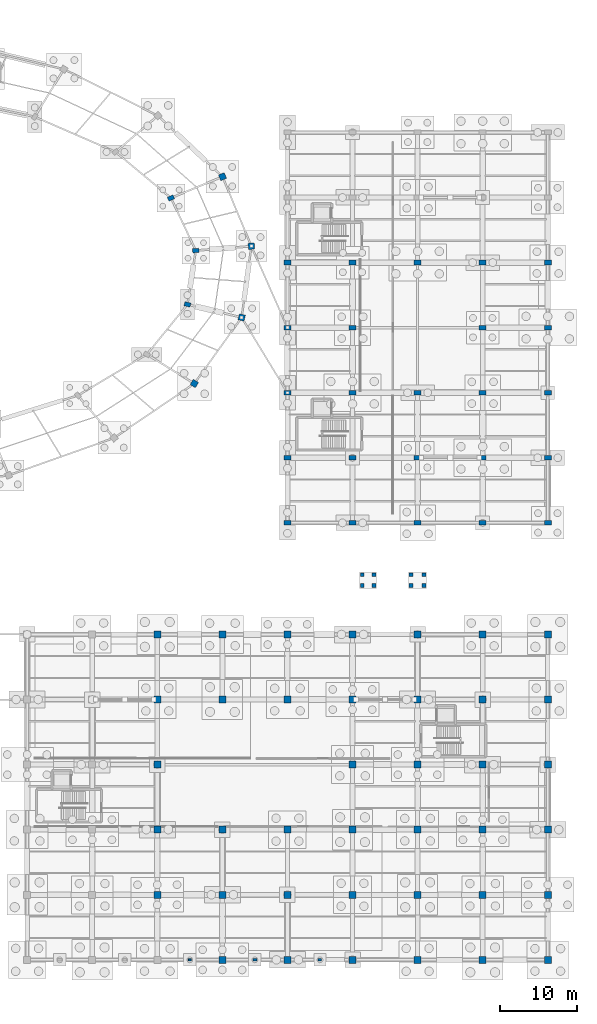
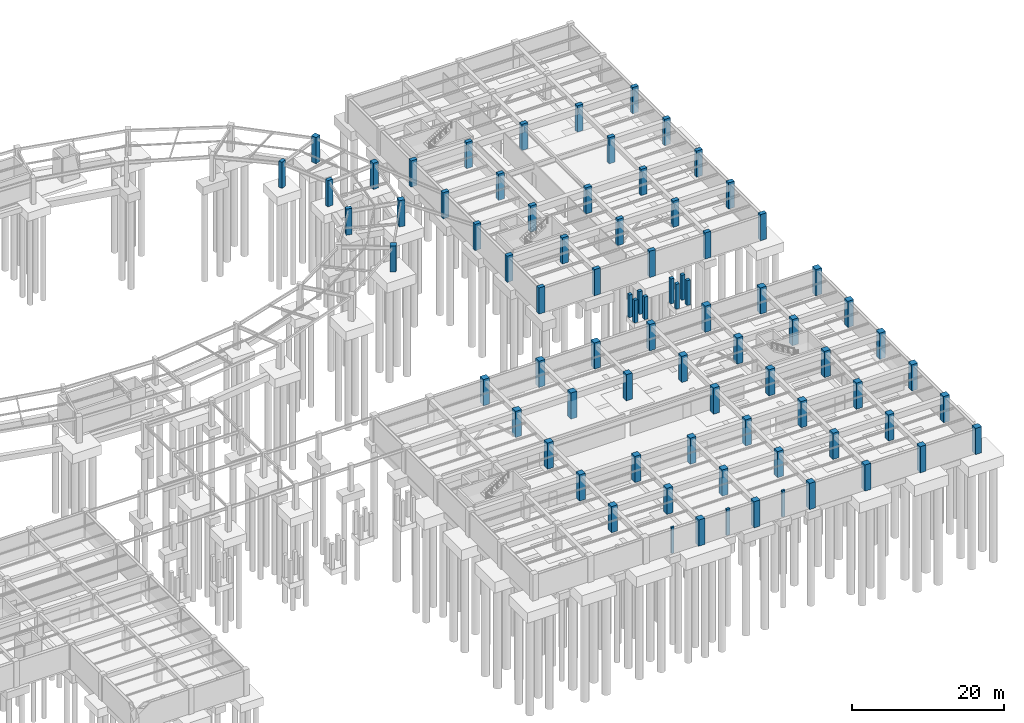
# One storey, part 14 of 38: 81 columns.
"""IFC4 building model written with IfcOpenShell, lengths in metres."""

from ifc_helpers import new_model, si_unit, direction, frame, origin, origin_2d, place, context, subcontext, project, spatial, rectangle, extrude, material, material_profile, profile_set, type_object, element, save


model = new_model("IFC4")

# Units and contexts
model_context = context("Model", 3, precision=1e-05, world=origin(), true_north=direction((0.0, 1.0)))
body_context = subcontext(model_context, "Body", "Model", "MODEL_VIEW")
ifc_project = project(units=[si_unit("LENGTHUNIT", "METRE"), si_unit("AREAUNIT", "SQUARE_METRE"), si_unit("VOLUMEUNIT", "CUBIC_METRE"), si_unit("PLANEANGLEUNIT", "RADIAN"), si_unit("MASSUNIT", "GRAM", prefix="KILO"), si_unit("THERMODYNAMICTEMPERATUREUNIT", "KELVIN"), si_unit("POWERUNIT", "WATT")], contexts=[model_context])

# Site, building, storey
site_placement = place(None, origin())
site = spatial("IfcSite", under=ifc_project, at=site_placement, CompositionType="ELEMENT")
building_placement = place(site_placement, origin())
building = spatial("IfcBuilding", under=site, at=building_placement, Name="Darbajah Civic Hall", CompositionType="ELEMENT")
storey_placement = place(building_placement, frame((0.0, 0.0, -4.199951171875)))
storey = spatial("IfcBuildingStorey", under=building, at=storey_placement, Name="B01", CompositionType="ELEMENT", Elevation=-4.199951171875)

# Columns
ifc_material_1 = material(Name="Concrete C45/55", Category="concrete")
ifc_material_profile_1 = material_profile(ifc_material_1, rectangle(XDim=0.39990234375, YDim=0.25, at=origin_2d()), Name="PILASTER 400x250")
ifc_profile_set_1 = profile_set([ifc_material_profile_1], Name="Concrete C45/55")
column_type_1 = type_object("IfcColumnType", Name="PILASTER 400x250", PredefinedType="PILASTER", material=ifc_profile_set_1)
column_1_placement = place(storey_placement, frame((132.0, 0.0, 0.0), z_axis=(0.0, 0.0, 1.0), x_axis=(1.0, 0.0, 0.0)))
element("IfcColumn", 1, at=column_1_placement, inside=storey, type_object=column_type_1, Name="B01 column PL-400", PredefinedType="PILASTER", context=body_context, shape_type="SweptSolid", body=[
    extrude(rectangle(XDim=0.39990234375, YDim=0.25, at=origin_2d()), origin(), (0.0, 0.0, 1.0), 4.199951171875),
])
ifc_material_profile_2 = material_profile(ifc_material_1, rectangle(XDim=0.449951171875, YDim=0.300048828125, at=origin_2d()), Name="PILASTER 450x300")
ifc_profile_set_2 = profile_set([ifc_material_profile_2], Name="Concrete C45/55")
column_type_2 = type_object("IfcColumnType", Name="PILASTER 450x300", PredefinedType="PILASTER", material=ifc_profile_set_2)
column_2_placement = place(storey_placement, frame((148.800048828125, 0.0, 0.0), z_axis=(0.0, 0.0, 1.0), x_axis=(1.0, 0.0, 0.0)))
element("IfcColumn", 2, at=column_2_placement, inside=storey, type_object=column_type_2, Name="B01 column PL-450", PredefinedType="PILASTER", context=body_context, shape_type="SweptSolid", body=[
    extrude(rectangle(XDim=0.449951171875, YDim=0.300048828125, at=origin_2d()), origin(), (0.0, 0.0, 1.0), 4.199951171875),
])
ifc_material_profile_3 = material_profile(ifc_material_1, rectangle(XDim=0.550048828125, YDim=0.35009765625, at=origin_2d()), Name="PILASTER 550x350")
ifc_profile_set_3 = profile_set([ifc_material_profile_3], Name="Concrete C45/55")
column_type_3 = type_object("IfcColumnType", Name="PILASTER 550x350", PredefinedType="PILASTER", material=ifc_profile_set_3)
column_3_placement = place(storey_placement, frame((140.39990234375, 0.0, 0.0), z_axis=(0.0, 0.0, 1.0), x_axis=(1.0, 0.0, 0.0)))
element("IfcColumn", 3, at=column_3_placement, inside=storey, type_object=column_type_3, Name="B01 column PL-550", PredefinedType="PILASTER", context=body_context, shape_type="SweptSolid", body=[
    extrude(rectangle(XDim=0.550048828125, YDim=0.35009765625, at=origin_2d()), origin(), (0.0, 0.0, 1.0), 4.199951171875),
])
ifc_material_profile_4 = material_profile(ifc_material_1, rectangle(XDim=0.5, YDim=0.5, at=origin_2d()), Name="RC COL 500x500")
ifc_profile_set_4 = profile_set([ifc_material_profile_4], Name="Concrete C45/55")
column_type_4 = type_object("IfcColumnType", Name="RC COL 500x500", PredefinedType="COLUMN", material=ifc_profile_set_4)
for number, where, z_axis, x_axis, name in (
    (4, (154.25, 48.300048828125, 0.0), (0.0, 0.0, 1.0), (1.0, 0.0, 0.0), "B01 ramp RMP-E1 BOT pier 1"),
    (5, (155.75, 48.300048828125, 0.0), (0.0, 0.0, 1.0), (1.0, 0.0, 0.0), "B01 ramp RMP-E1 BOT pier 2"),
    (6, (154.25, 49.699951171875, 0.0), (0.0, 0.0, 1.0), (1.0, 0.0, 0.0), "B01 ramp RMP-E1 BOT pier 3"),
    (7, (155.75, 49.699951171875, 0.0), (0.0, 0.0, 1.0), (1.0, 0.0, 0.0), "B01 ramp RMP-E1 BOT pier 4"),
):
    element("IfcColumn", number, at=place(storey_placement, frame(where, z_axis=z_axis, x_axis=x_axis)), inside=storey, type_object=column_type_4, Name=name, PredefinedType="COLUMN", context=body_context, shape_type="SweptSolid", body=[
        extrude(rectangle(XDim=0.5, YDim=0.5, at=origin_2d()), origin(), (0.0, 0.0, 1.0), 3.639892578125),
    ])
for number, where, z_axis, x_axis, name in (
    (8, (160.570068359375, 48.300048828125, 0.0), (0.0, 0.0, 1.0), (1.0, 0.0, 0.0), "B01 ramp RMP-E1 TOP pier 1"),
    (9, (162.219970703125, 48.300048828125, 0.0), (0.0, 0.0, 1.0), (1.0, 0.0, 0.0), "B01 ramp RMP-E1 TOP pier 2"),
    (10, (160.570068359375, 49.699951171875, 0.0), (0.0, 0.0, 1.0), (1.0, 0.0, 0.0), "B01 ramp RMP-E1 TOP pier 3"),
    (11, (162.219970703125, 49.699951171875, 0.0), (0.0, 0.0, 1.0), (1.0, 0.0, 0.0), "B01 ramp RMP-E1 TOP pier 4"),
):
    element("IfcColumn", number, at=place(storey_placement, frame(where, z_axis=z_axis, x_axis=x_axis)), inside=storey, type_object=column_type_4, Name=name, PredefinedType="COLUMN", context=body_context, shape_type="SweptSolid", body=[
        extrude(rectangle(XDim=0.5, YDim=0.5, at=origin_2d()), origin(), (0.0, 0.0, 1.0), 4.0),
    ])
ifc_material_profile_5 = material_profile(ifc_material_1, rectangle(XDim=0.800048828125, YDim=0.550048828125, at=origin_2d()), Name="RC COL 800x550")
ifc_profile_set_5 = profile_set([ifc_material_profile_5], Name="Concrete C45/55")
column_type_5 = type_object("IfcColumnType", Name="RC COL 800x550", PredefinedType="COLUMN", material=ifc_profile_set_5)
for number, where, z_axis, x_axis, name in (
    (12, (132.764892578125, 91.549560546875, 0.0), (0.0, 0.0, 1.0), (0.996917333733, 0.078459095728, 0.0), "B01 column C-RC805"),
    (13, (129.56591796875, 98.333740234375, 0.0), (0.0, 0.0, 1.0), (0.923879532511, 0.382683432365, 0.0), "B01 column C-RC805"),
    (14, (131.689697265625, 84.59423828125, 0.0), (0.0, 0.0, 1.0), (0.972369920398, -0.233445363856, 0.0), "B01 column C-RC805"),
):
    element("IfcColumn", number, at=place(storey_placement, frame(where, z_axis=z_axis, x_axis=x_axis)), inside=storey, type_object=column_type_5, Name=name, PredefinedType="COLUMN", context=body_context, shape_type="SweptSolid", body=[
        extrude(rectangle(XDim=0.800048828125, YDim=0.550048828125, at=origin_2d()), origin(), (0.0, 0.0, 1.0), 4.199951171875),
    ])
ifc_material_2 = material(Name="Concrete C50/60", Category="concrete")
ifc_material_profile_6 = material_profile(ifc_material_2, rectangle(XDim=0.800048828125, YDim=0.800048828125, at=origin_2d()), Name="RC COL 800x800")
ifc_profile_set_6 = profile_set([ifc_material_profile_6], Name="Concrete C50/60")
column_type_6 = type_object("IfcColumnType", Name="RC COL 800x800", PredefinedType="COLUMN", material=ifc_profile_set_6)
for number, where, z_axis, x_axis, name in (
    (15, (139.94287109375, 92.114501953125, 0.0), (0.0, 0.0, 1.0), (0.996917333733, 0.078459095728, 0.0), "B01 column C-RC800"),
    (16, (136.218017578125, 101.089111328125, 0.0), (0.0, 0.0, 1.0), (0.923879532511, 0.382683432365, 0.0), "B01 column C-RC800"),
    (17, (132.584716796875, 74.38623046875, 0.0), (0.0, 0.0, 1.0), (0.852640164354, -0.522498564716, 0.0), "B01 column C-RC800"),
    (18, (138.69091796875, 82.913330078125, 0.0), (0.0, 0.0, 1.0), (0.972369920398, -0.233445363856, 0.0), "B01 column C-RC800"),
):
    element("IfcColumn", number, at=place(storey_placement, frame(where, z_axis=z_axis, x_axis=x_axis)), inside=storey, type_object=column_type_6, Name=name, PredefinedType="COLUMN", context=body_context, shape_type="SweptSolid", body=[
        extrude(rectangle(XDim=0.800048828125, YDim=0.800048828125, at=origin_2d()), origin(), (0.0, 0.0, 1.0), 4.199951171875),
    ])
ifc_material_profile_7 = material_profile(ifc_material_2, rectangle(XDim=0.89990234375, YDim=0.60009765625, at=origin_2d()), Name="RC COL 900x600")
ifc_profile_set_7 = profile_set([ifc_material_profile_7], Name="Concrete C50/60")
column_type_7 = type_object("IfcColumnType", Name="RC COL 900x600", PredefinedType="COLUMN", material=ifc_profile_set_7)
for number, where, z_axis, x_axis, name in (
    (19, (144.60009765625, 56.39990234375, 0.0), (0.0, 0.0, 1.0), (1.0, 0.0, 0.0), "B01 column C-RC906"),
    (20, (144.60009765625, 64.800048828125, 0.0), (0.0, 0.0, 1.0), (1.0, 0.0, 0.0), "B01 column C-RC906"),
    (21, (144.60009765625, 73.199951171875, 0.0), (0.0, 0.0, 1.0), (1.0, 0.0, 0.0), "B01 column C-RC906"),
    (22, (144.60009765625, 81.60009765625, 0.0), (0.0, 0.0, 1.0), (1.0, 0.0, 0.0), "B01 column C-RC906"),
    (23, (144.60009765625, 90.0, 0.0), (0.0, 0.0, 1.0), (1.0, 0.0, 0.0), "B01 column C-RC906"),
    (24, (153.0, 56.39990234375, 0.0), (0.0, 0.0, 1.0), (1.0, 0.0, 0.0), "B01 column C-RC906"),
    (25, (153.0, 64.800048828125, 0.0), (0.0, 0.0, 1.0), (1.0, 0.0, 0.0), "B01 column C-RC906"),
    (26, (153.0, 73.199951171875, 0.0), (0.0, 0.0, 1.0), (1.0, 0.0, 0.0), "B01 column C-RC906"),
    (27, (153.0, 81.60009765625, 0.0), (0.0, 0.0, 1.0), (1.0, 0.0, 0.0), "B01 column C-RC906"),
    (28, (153.0, 90.0, 0.0), (0.0, 0.0, 1.0), (1.0, 0.0, 0.0), "B01 column C-RC906"),
    (29, (161.39990234375, 56.39990234375, 0.0), (0.0, 0.0, 1.0), (1.0, 0.0, 0.0), "B01 column C-RC906"),
    (30, (161.39990234375, 64.800048828125, 0.0), (0.0, 0.0, 1.0), (1.0, 0.0, 0.0), "B01 column C-RC906"),
    (31, (161.39990234375, 73.199951171875, 0.0), (0.0, 0.0, 1.0), (1.0, 0.0, 0.0), "B01 column C-RC906"),
    (32, (161.39990234375, 90.0, 0.0), (0.0, 0.0, 1.0), (1.0, 0.0, 0.0), "B01 column C-RC906"),
    (33, (169.800048828125, 56.39990234375, 0.0), (0.0, 0.0, 1.0), (1.0, 0.0, 0.0), "B01 column C-RC906"),
    (34, (169.800048828125, 64.800048828125, 0.0), (0.0, 0.0, 1.0), (1.0, 0.0, 0.0), "B01 column C-RC906"),
    (35, (169.800048828125, 73.199951171875, 0.0), (0.0, 0.0, 1.0), (1.0, 0.0, 0.0), "B01 column C-RC906"),
    (36, (169.800048828125, 81.60009765625, 0.0), (0.0, 0.0, 1.0), (1.0, 0.0, 0.0), "B01 column C-RC906"),
    (37, (169.800048828125, 90.0, 0.0), (0.0, 0.0, 1.0), (1.0, 0.0, 0.0), "B01 column C-RC906"),
    (38, (178.199951171875, 56.39990234375, 0.0), (0.0, 0.0, 1.0), (1.0, 0.0, 0.0), "B01 column C-RC906"),
    (39, (178.199951171875, 64.800048828125, 0.0), (0.0, 0.0, 1.0), (1.0, 0.0, 0.0), "B01 column C-RC906"),
    (40, (178.199951171875, 73.199951171875, 0.0), (0.0, 0.0, 1.0), (1.0, 0.0, 0.0), "B01 column C-RC906"),
    (41, (178.199951171875, 81.60009765625, 0.0), (0.0, 0.0, 1.0), (1.0, 0.0, 0.0), "B01 column C-RC906"),
    (42, (178.199951171875, 90.0, 0.0), (0.0, 0.0, 1.0), (1.0, 0.0, 0.0), "B01 column C-RC906"),
):
    element("IfcColumn", number, at=place(storey_placement, frame(where, z_axis=z_axis, x_axis=x_axis)), inside=storey, type_object=column_type_7, Name=name, PredefinedType="COLUMN", context=body_context, shape_type="SweptSolid", body=[
        extrude(rectangle(XDim=0.89990234375, YDim=0.60009765625, at=origin_2d()), origin(), (0.0, 0.0, 1.0), 4.199951171875),
    ])
ifc_material_profile_8 = material_profile(ifc_material_2, rectangle(XDim=0.89990234375, YDim=0.89990234375, at=origin_2d()), Name="RC COL 900x900")
ifc_profile_set_8 = profile_set([ifc_material_profile_8], Name="Concrete C50/60")
column_type_8 = type_object("IfcColumnType", Name="RC COL 900x900", PredefinedType="COLUMN", material=ifc_profile_set_8)
for number, where, z_axis, x_axis, name in (
    (43, (127.800048828125, 8.39990234375, 0.0), (0.0, 0.0, 1.0), (1.0, 0.0, 0.0), "B01 column C-RC900"),
    (44, (127.800048828125, 16.800048828125, 0.0), (0.0, 0.0, 1.0), (1.0, 0.0, 0.0), "B01 column C-RC900"),
    (45, (127.800048828125, 25.199951171875, 0.0), (0.0, 0.0, 1.0), (1.0, 0.0, 0.0), "B01 column C-RC900"),
    (46, (127.800048828125, 33.60009765625, 0.0), (0.0, 0.0, 1.0), (1.0, 0.0, 0.0), "B01 column C-RC900"),
    (47, (127.800048828125, 42.0, 0.0), (0.0, 0.0, 1.0), (1.0, 0.0, 0.0), "B01 column C-RC900"),
    (48, (136.199951171875, 0.0, 0.0), (0.0, 0.0, 1.0), (1.0, 0.0, 0.0), "B01 column C-RC900"),
    (49, (136.199951171875, 8.39990234375, 0.0), (0.0, 0.0, 1.0), (1.0, 0.0, 0.0), "B01 column C-RC900"),
    (50, (136.199951171875, 16.800048828125, 0.0), (0.0, 0.0, 1.0), (1.0, 0.0, 0.0), "B01 column C-RC900"),
    (51, (136.199951171875, 33.60009765625, 0.0), (0.0, 0.0, 1.0), (1.0, 0.0, 0.0), "B01 column C-RC900"),
    (52, (136.199951171875, 42.0, 0.0), (0.0, 0.0, 1.0), (1.0, 0.0, 0.0), "B01 column C-RC900"),
    (53, (144.60009765625, 0.0, 0.0), (0.0, 0.0, 1.0), (1.0, 0.0, 0.0), "B01 column C-RC900"),
    (54, (144.60009765625, 8.39990234375, 0.0), (0.0, 0.0, 1.0), (1.0, 0.0, 0.0), "B01 column C-RC900"),
    (55, (144.60009765625, 16.800048828125, 0.0), (0.0, 0.0, 1.0), (1.0, 0.0, 0.0), "B01 column C-RC900"),
    (56, (144.60009765625, 33.60009765625, 0.0), (0.0, 0.0, 1.0), (1.0, 0.0, 0.0), "B01 column C-RC900"),
    (57, (144.60009765625, 42.0, 0.0), (0.0, 0.0, 1.0), (1.0, 0.0, 0.0), "B01 column C-RC900"),
    (58, (153.0, 0.0, 0.0), (0.0, 0.0, 1.0), (1.0, 0.0, 0.0), "B01 column C-RC900"),
    (59, (153.0, 8.39990234375, 0.0), (0.0, 0.0, 1.0), (1.0, 0.0, 0.0), "B01 column C-RC900"),
    (60, (153.0, 16.800048828125, 0.0), (0.0, 0.0, 1.0), (1.0, 0.0, 0.0), "B01 column C-RC900"),
    (61, (153.0, 25.199951171875, 0.0), (0.0, 0.0, 1.0), (1.0, 0.0, 0.0), "B01 column C-RC900"),
    (62, (153.0, 33.60009765625, 0.0), (0.0, 0.0, 1.0), (1.0, 0.0, 0.0), "B01 column C-RC900"),
    (63, (153.0, 42.0, 0.0), (0.0, 0.0, 1.0), (1.0, 0.0, 0.0), "B01 column C-RC900"),
    (64, (161.39990234375, 0.0, 0.0), (0.0, 0.0, 1.0), (1.0, 0.0, 0.0), "B01 column C-RC900"),
    (65, (161.39990234375, 8.39990234375, 0.0), (0.0, 0.0, 1.0), (1.0, 0.0, 0.0), "B01 column C-RC900"),
    (66, (161.39990234375, 16.800048828125, 0.0), (0.0, 0.0, 1.0), (1.0, 0.0, 0.0), "B01 column C-RC900"),
    (67, (161.39990234375, 25.199951171875, 0.0), (0.0, 0.0, 1.0), (1.0, 0.0, 0.0), "B01 column C-RC900"),
    (68, (161.39990234375, 33.60009765625, 0.0), (0.0, 0.0, 1.0), (1.0, 0.0, 0.0), "B01 column C-RC900"),
    (69, (161.39990234375, 42.0, 0.0), (0.0, 0.0, 1.0), (1.0, 0.0, 0.0), "B01 column C-RC900"),
    (70, (169.800048828125, 0.0, 0.0), (0.0, 0.0, 1.0), (1.0, 0.0, 0.0), "B01 column C-RC900"),
    (71, (169.800048828125, 8.39990234375, 0.0), (0.0, 0.0, 1.0), (1.0, 0.0, 0.0), "B01 column C-RC900"),
    (72, (169.800048828125, 16.800048828125, 0.0), (0.0, 0.0, 1.0), (1.0, 0.0, 0.0), "B01 column C-RC900"),
    (73, (169.800048828125, 25.199951171875, 0.0), (0.0, 0.0, 1.0), (1.0, 0.0, 0.0), "B01 column C-RC900"),
    (74, (169.800048828125, 33.60009765625, 0.0), (0.0, 0.0, 1.0), (1.0, 0.0, 0.0), "B01 column C-RC900"),
    (75, (169.800048828125, 42.0, 0.0), (0.0, 0.0, 1.0), (1.0, 0.0, 0.0), "B01 column C-RC900"),
    (76, (178.199951171875, 0.0, 0.0), (0.0, 0.0, 1.0), (1.0, 0.0, 0.0), "B01 column C-RC900"),
    (77, (178.199951171875, 8.39990234375, 0.0), (0.0, 0.0, 1.0), (1.0, 0.0, 0.0), "B01 column C-RC900"),
    (78, (178.199951171875, 16.800048828125, 0.0), (0.0, 0.0, 1.0), (1.0, 0.0, 0.0), "B01 column C-RC900"),
    (79, (178.199951171875, 25.199951171875, 0.0), (0.0, 0.0, 1.0), (1.0, 0.0, 0.0), "B01 column C-RC900"),
    (80, (178.199951171875, 33.60009765625, 0.0), (0.0, 0.0, 1.0), (1.0, 0.0, 0.0), "B01 column C-RC900"),
    (81, (178.199951171875, 42.0, 0.0), (0.0, 0.0, 1.0), (1.0, 0.0, 0.0), "B01 column C-RC900"),
):
    element("IfcColumn", number, at=place(storey_placement, frame(where, z_axis=z_axis, x_axis=x_axis)), inside=storey, type_object=column_type_8, Name=name, PredefinedType="COLUMN", context=body_context, shape_type="SweptSolid", body=[
        extrude(rectangle(XDim=0.89990234375, YDim=0.89990234375, at=origin_2d()), origin(), (0.0, 0.0, 1.0), 4.199951171875),
    ])

save(model, "model.ifc")
